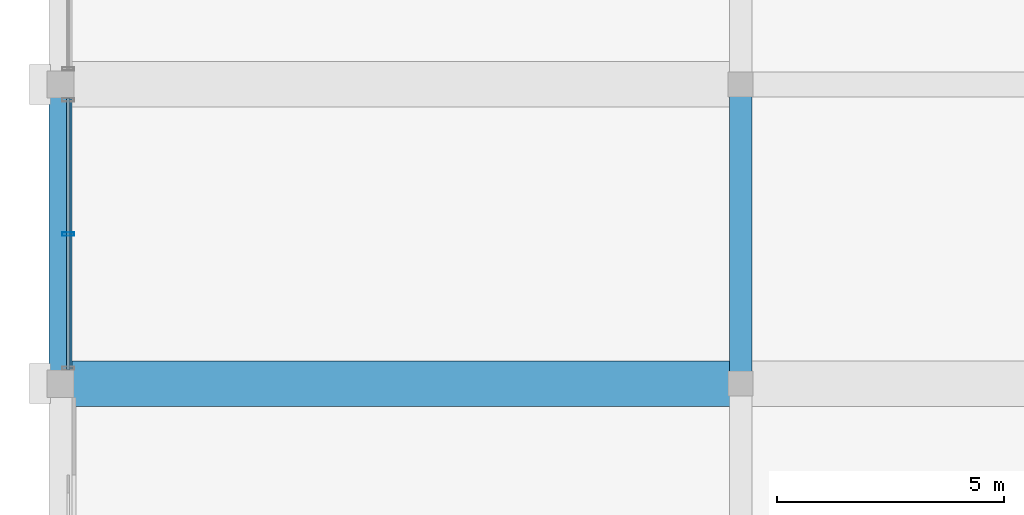
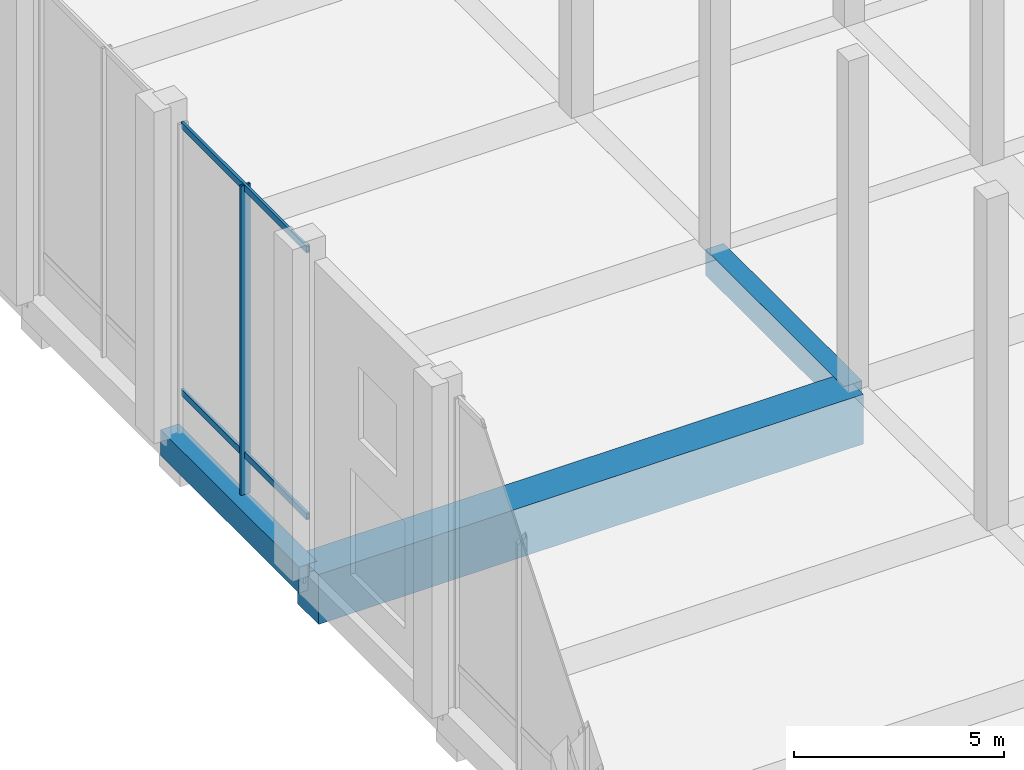
# One storey, part 18 of 80: 3 beams, 3 members, 1 element without a shape of its own.
"""IFC4 building model written with IfcOpenShell, lengths in metres."""

import ifcopenshell
import ifcopenshell.guid

model = None  # the IFC model being written
_history = None  # IfcOwnerHistory: only IFC2X3 demands one
_inside = {}  # id of a spatial element -> (the spatial element, [elements in it])
_under = {}  # id of a project, library or spatial element -> (it, [spatial elements below it])
_declared = {}  # id of a project -> (the project, [libraries it declares])
_typed = {}  # id of a type object -> (the type object, [elements of that type])
_made_of = {}  # id of a material, layer set ... -> (it, [elements and type objects made of it])


def new_model(schema):
    """Start an empty IFC model of exactly this schema.

    Asked for "IFC4X3", IfcOpenShell would pick the latest addendum, in which some entities
    have other attributes; the version numbers below select the first issue.
    IFC2X3 requires an IfcOwnerHistory on every rooted entity: one is made here for all.
    """
    global model, _history
    if schema == "IFC4X3":
        model = ifcopenshell.file(schema_version=(4, 3, 0, 0))
    else:
        model = ifcopenshell.file(schema=schema)
    _inside.clear()
    _under.clear()
    _declared.clear()
    _typed.clear()
    _made_of.clear()
    _history = None
    if model.schema == "IFC2X3":
        org = make("IfcOrganization", Name="unknown")
        user = make(
            "IfcPersonAndOrganization",
            ThePerson=make("IfcPerson", FamilyName="unknown"),
            TheOrganization=org,
        )
        app = make(
            "IfcApplication",
            ApplicationDeveloper=org,
            Version="unknown",
            ApplicationFullName="unknown",
            ApplicationIdentifier="unknown",
        )
        _history = make(
            "IfcOwnerHistory",
            OwningUser=user,
            OwningApplication=app,
            ChangeAction="ADDED",
            CreationDate=0,
        )
    return model


def make(cls, **values):
    """One entity of the class cls with the attributes given. An attribute that is None is left unset."""
    return model.create_entity(
        cls, **{name: value for name, value in values.items() if value is not None}
    )


def rooted(cls, **values):
    """An entity with a GlobalId (a new one), such as an element, a storey or a relation."""
    return make(cls, GlobalId=ifcopenshell.guid.new(), OwnerHistory=_history, **values)


def si_unit(unit_type, name, prefix=None):
    """IfcSIUnit, for example si_unit("LENGTHUNIT", "METRE", prefix="MILLI")."""
    return make("IfcSIUnit", UnitType=unit_type, Prefix=prefix, Name=name)


def assignment(units):
    """IfcUnitAssignment: the units of a project."""
    return None if units is None else make("IfcUnitAssignment", Units=units)


def point(xyz):
    """IfcCartesianPoint."""
    return None if xyz is None else make("IfcCartesianPoint", Coordinates=xyz)


def direction(xyz):
    """IfcDirection."""
    return None if xyz is None else make("IfcDirection", DirectionRatios=xyz)


def frame(location, z_axis=None, x_axis=None):
    """IfcAxis2Placement3D, a coordinate frame: its origin and axes. An axis left out is left unset."""
    return make(
        "IfcAxis2Placement3D",
        Location=point(location),
        Axis=direction(z_axis),
        RefDirection=direction(x_axis),
    )


def frame_2d(location, x_axis=None):
    """IfcAxis2Placement2D, a coordinate frame in the plane: its origin and x axis."""
    return make(
        "IfcAxis2Placement2D", Location=point(location), RefDirection=direction(x_axis)
    )


def origin():
    """The frame at (0, 0, 0) with its axes left unset."""
    return frame((0.0, 0.0, 0.0))


def origin_2d():
    """The frame at (0, 0) in the plane with its x axis left unset."""
    return frame_2d((0.0, 0.0))


def place(relative_to, where):
    """IfcLocalPlacement: puts the frame where relative to a parent placement (None: the world)."""
    return make(
        "IfcLocalPlacement", PlacementRelTo=relative_to, RelativePlacement=where
    )


def context(
    kind, dimensions, precision=None, world=None, true_north=None, identifier=None
):
    """IfcGeometricRepresentationContext, for example the 3D "Model" context."""
    return make(
        "IfcGeometricRepresentationContext",
        ContextIdentifier=identifier,
        ContextType=kind,
        CoordinateSpaceDimension=dimensions,
        Precision=precision,
        WorldCoordinateSystem=world,
        TrueNorth=true_north,
    )


def subcontext(parent, identifier, kind, view, scale=None):
    """IfcGeometricRepresentationSubContext, for example "Body" below "Model"."""
    return make(
        "IfcGeometricRepresentationSubContext",
        ContextIdentifier=identifier,
        ContextType=kind,
        ParentContext=parent,
        TargetScale=scale,
        TargetView=view,
    )


def project(units=None, contexts=None):
    """IfcProject with its units and contexts."""
    return rooted(
        "IfcProject",
        Name="project",
        RepresentationContexts=contexts,
        UnitsInContext=assignment(units),
    )


def spatial(cls, under=None, at=None, **own):
    """A site, building, storey or space (cls), placed at a placement, below another one or the project."""
    s = rooted(cls, ObjectPlacement=at, **own)
    if under is not None:
        _under.setdefault(under.id(), (under, []))[1].append(s)
    return s


def profile(cls, at=None, kind="AREA", **sizes):
    """A parametric profile (cls). Its sizes go by their IFC names, for example OverallWidth=200.0."""
    return make(cls, ProfileType=kind, Position=at, **sizes)


def rectangle(**sizes):
    """IfcRectangleProfileDef."""
    return profile("IfcRectangleProfileDef", **sizes)


def hollow_rectangle(**sizes):
    """IfcRectangleHollowProfileDef."""
    return profile("IfcRectangleHollowProfileDef", **sizes)


def extrude(swept, where, along, depth):
    """IfcExtrudedAreaSolid: the profile swept, set in the frame where, extruded along a direction by depth."""
    return make(
        "IfcExtrudedAreaSolid",
        SweptArea=swept,
        Position=where,
        ExtrudedDirection=direction(along),
        Depth=depth,
    )


def shape(context_of_items, identifier, shape_type, items):
    """IfcShapeRepresentation: the items that make up one representation, for example the "Body"."""
    return make(
        "IfcShapeRepresentation",
        ContextOfItems=context_of_items,
        RepresentationIdentifier=identifier,
        RepresentationType=shape_type,
        Items=items,
    )


def material(Name=None, Category=None):
    """IfcMaterial."""
    return make("IfcMaterial", Name=Name, Category=Category)


def material_profile(
    of_material, cross_section, Name=None, Category=None, Priority=None
):
    """IfcMaterialProfile: a cross section and its material."""
    return make(
        "IfcMaterialProfile",
        Name=Name,
        Material=of_material,
        Profile=cross_section,
        Priority=Priority,
        Category=Category,
    )


def profile_set(profiles, Name=None, composite=None):
    """IfcMaterialProfileSet."""
    return make(
        "IfcMaterialProfileSet",
        Name=Name,
        MaterialProfiles=profiles,
        CompositeProfile=composite,
    )


def made_of(thing, what):
    """Note that an element or type object is made of a material, layer set ...; save() writes the relation."""
    if what is not None:
        _made_of.setdefault(what.id(), (what, []))[1].append(thing)
    return thing


def type_object(cls, material=None, **own):
    """A type object (cls), such as IfcWallType, which elements share."""
    return made_of(rooted(cls, **own), material)


def element(
    cls,
    number,
    at=None,
    inside=None,
    cuts=None,
    type_object=None,
    material=None,
    context=None,
    identifier="Body",
    shape_type=None,
    held_by="IfcProductDefinitionShape",
    body=None,
    shapes=None,
    **own,
):
    """One element of the class cls, such as IfcWall. Its Tag is "e" and its number.

    at: its placement. inside: the storey or other place that contains it. cuts: it is an
    opening in that element (IfcRelVoidsElement). A single representation is given by context,
    identifier, shape_type and body (its items); several are given by shapes. held_by: the class
    of the entity that holds the representations. save() writes the other relations.
    """
    e = rooted(cls, Tag="e%d" % number, ObjectPlacement=at, **own)
    if body is not None:
        shapes = [shape(context, identifier, shape_type, body)]
    if shapes is not None:
        e.Representation = make(held_by, Representations=shapes)
    if inside is not None:
        _inside.setdefault(inside.id(), (inside, []))[1].append(e)
    if cuts is not None:
        rooted(
            "IfcRelVoidsElement", RelatingBuildingElement=cuts, RelatedOpeningElement=e
        )
    if type_object is not None:
        _typed.setdefault(type_object.id(), (type_object, []))[1].append(e)
    return made_of(e, material)


def aggregate(whole, parts):
    """IfcRelAggregates: a whole, such as a stair, and the parts it consists of."""
    return rooted("IfcRelAggregates", RelatingObject=whole, RelatedObjects=parts)


def save(model, path):
    """Write the relations noted so far, then the file.

    IfcRelAggregates (storeys below a building ...), IfcRelContainedInSpatialStructure (elements
    in a storey), IfcRelDefinesByType, IfcRelAssociatesMaterial and IfcRelDeclares: one each for
    every whole, place, type object, material and project.
    """
    for whole, parts in _under.values():
        aggregate(whole, parts)
    for where, things in _inside.values():
        rooted(
            "IfcRelContainedInSpatialStructure",
            RelatedElements=things,
            RelatingStructure=where,
        )
    for kind, things in _typed.values():
        rooted("IfcRelDefinesByType", RelatedObjects=things, RelatingType=kind)
    for what, things in _made_of.values():
        rooted("IfcRelAssociatesMaterial", RelatedObjects=things, RelatingMaterial=what)
    for by, libraries in _declared.values():
        rooted("IfcRelDeclares", RelatingContext=by, RelatedDefinitions=libraries)
    model.write(path)


model = new_model("IFC4")

# Units and contexts
model_context = context("Model", 3, precision=1e-05, world=origin(), true_north=direction((0.0, 1.0)))
body_context = subcontext(model_context, "Body", "Model", "MODEL_VIEW")
ifc_project = project(units=[si_unit("LENGTHUNIT", "METRE"), si_unit("AREAUNIT", "SQUARE_METRE"), si_unit("VOLUMEUNIT", "CUBIC_METRE"), si_unit("PLANEANGLEUNIT", "RADIAN"), si_unit("MASSUNIT", "GRAM", prefix="KILO")], contexts=[model_context])

# Site, building, storey
site_placement = place(None, origin())
site = spatial("IfcSite", under=ifc_project, at=site_placement, CompositionType="ELEMENT")
building_placement = place(site_placement, origin())
building = spatial("IfcBuilding", under=site, at=building_placement, Name="Akrevak Sports Hall", CompositionType="ELEMENT")
storey_placement = place(building_placement, frame((0.0, 0.0, 14.0)))
storey = spatial("IfcBuildingStorey", under=building, at=storey_placement, Name="L03", CompositionType="ELEMENT", Elevation=14.0)

# Curtain wall, members
ifc_material_1 = material(Name="Anodized Bronze Aluminium & Low-E Glass", Category="aluminium")
curtain_wall_type = type_object("IfcCurtainWallType", Name="ARC-CW-POD-64x94", PredefinedType="NOTDEFINED", material=ifc_material_1)
curtain_wall_placement = place(storey_placement, origin())
curtain_wall = element("IfcCurtainWall", 1, at=curtain_wall_placement, inside=storey, type_object=curtain_wall_type, Name="Curtain Wall CW-L03-W05", PredefinedType="NOTDEFINED")
ifc_material_2 = material(Name="Anodized Bronze Aluminium", Category="aluminium")
ifc_material_profile_1 = material_profile(ifc_material_2, hollow_rectangle(XDim=0.074951171875, YDim=0.260009765625, WallThickness=0.0048828125, at=origin_2d()), Name="CWM 75x260", Category="aluminium")
ifc_profile_set_1 = profile_set([ifc_material_profile_1], Name="Anodized Bronze Aluminium")
member_type_1 = type_object("IfcMemberType", Name="ARC-CWM-80x180", PredefinedType="MULLION", material=ifc_profile_set_1)
member_1_placement = place(storey_placement, frame((0.169921875, 45.300048828125, 0.0), z_axis=(0.0, 0.0, 1.0), x_axis=(0.0, -1.0, 0.0)))
member_1 = element("IfcMember", 2, at=member_1_placement, type_object=member_type_1, Name="Curtain Wall Mullion CW-L03-W05-M2", PredefinedType="MULLION", context=body_context, shape_type="SweptSolid", body=[
    extrude(hollow_rectangle(XDim=0.074951171875, YDim=0.260009765625, WallThickness=0.0048828125, at=origin_2d()), origin(), (0.0, 0.0, 1.0), 9.0),
])
ifc_material_profile_2 = material_profile(ifc_material_2, hollow_rectangle(XDim=0.074951171875, YDim=0.18994140625, WallThickness=0.00439453125, at=origin_2d()), Name="CWT 75x190", Category="aluminium")
ifc_profile_set_2 = profile_set([ifc_material_profile_2], Name="Anodized Bronze Aluminium")
member_type_2 = type_object("IfcMemberType", Name="ARC-CWT-80x150", PredefinedType="USERDEFINED", material=ifc_profile_set_2)
member_2_placement = place(storey_placement, frame((0.169921875, 48.300048828125, 1.14990234375), z_axis=(0.0, -1.0, 0.0), x_axis=(1.0, 0.0, 0.0)))
member_2 = element("IfcMember", 3, at=member_2_placement, type_object=member_type_2, Name="Curtain Wall Transom CW-L03-W05-T1", ObjectType="TRANSOM", PredefinedType="USERDEFINED", context=body_context, shape_type="SweptSolid", body=[
    extrude(hollow_rectangle(XDim=0.074951171875, YDim=0.18994140625, WallThickness=0.00439453125, at=origin_2d()), origin(), (0.0, 0.0, 1.0), 6.0),
])
member_3_placement = place(storey_placement, frame((0.169921875, 48.300048828125, 8.919921875), z_axis=(0.0, -1.0, 0.0), x_axis=(1.0, 0.0, 0.0)))
member_3 = element("IfcMember", 4, at=member_3_placement, type_object=member_type_2, Name="Curtain Wall Transom CW-L03-W05-T2", ObjectType="TRANSOM", PredefinedType="USERDEFINED", context=body_context, shape_type="SweptSolid", body=[
    extrude(hollow_rectangle(XDim=0.074951171875, YDim=0.18994140625, WallThickness=0.00439453125, at=origin_2d()), origin(), (0.0, 0.0, 1.0), 6.0),
])
aggregate(curtain_wall, [member_1, member_2, member_3])

# Beams
ifc_material_3 = material(Name="Concrete C50/60", Category="concrete")
ifc_material_profile_3 = material_profile(ifc_material_3, rectangle(XDim=1.0, YDim=1.449951171875, at=origin_2d()), Name="BM 1000x1450", Category="concrete")
ifc_profile_set_3 = profile_set([ifc_material_profile_3], Name="Concrete C50/60")
beam_type_1 = type_object("IfcBeamType", Name="STR-BM-LG1000x1450", PredefinedType="BEAM", material=ifc_profile_set_3)
beam_placement = place(storey_placement, frame((0.0, 42.0, -0.72509765625), z_axis=(1.0, 0.0, 0.0), x_axis=(0.0, 1.0, 0.0)))
element("IfcBeam", 5, at=beam_placement, inside=storey, type_object=beam_type_1, Name="Girder G/1-3 (L03)", PredefinedType="BEAM", context=body_context, shape_type="SweptSolid", body=[
    extrude(rectangle(XDim=1.0, YDim=1.449951171875, at=origin_2d()), origin(), (0.0, 0.0, 1.0), 15.0),
])
ifc_material_4 = material(Name="Concrete C40/50", Category="concrete")
ifc_material_profile_4 = material_profile(ifc_material_4, rectangle(XDim=0.5, YDim=0.75, at=origin_2d()), Name="BM 500x750", Category="concrete")
ifc_profile_set_4 = profile_set([ifc_material_profile_4], Name="Concrete C40/50")
beam_type_2 = type_object("IfcBeamType", Name="STR-BM-RC500x750", PredefinedType="BEAM", material=ifc_profile_set_4)
for number, where, z_axis, x_axis, name in (
    (6, (0.0, 42.0, -0.375), (0.0, 1.0, 0.0), (-1.0, 0.0, 0.0), "Girder 1/G-H (L03)"),
    (7, (15.0, 42.0, -0.375), (0.0, 1.0, 0.0), (-1.0, 0.0, 0.0), "Girder 3/G-H (L03)"),
):
    element("IfcBeam", number, at=place(storey_placement, frame(where, z_axis=z_axis, x_axis=x_axis)), inside=storey, type_object=beam_type_2, Name=name, PredefinedType="BEAM", context=body_context, shape_type="SweptSolid", body=[
        extrude(rectangle(XDim=0.5, YDim=0.75, at=origin_2d()), origin(), (0.0, 0.0, 1.0), 6.60009765625),
    ])

save(model, "model.ifc")
